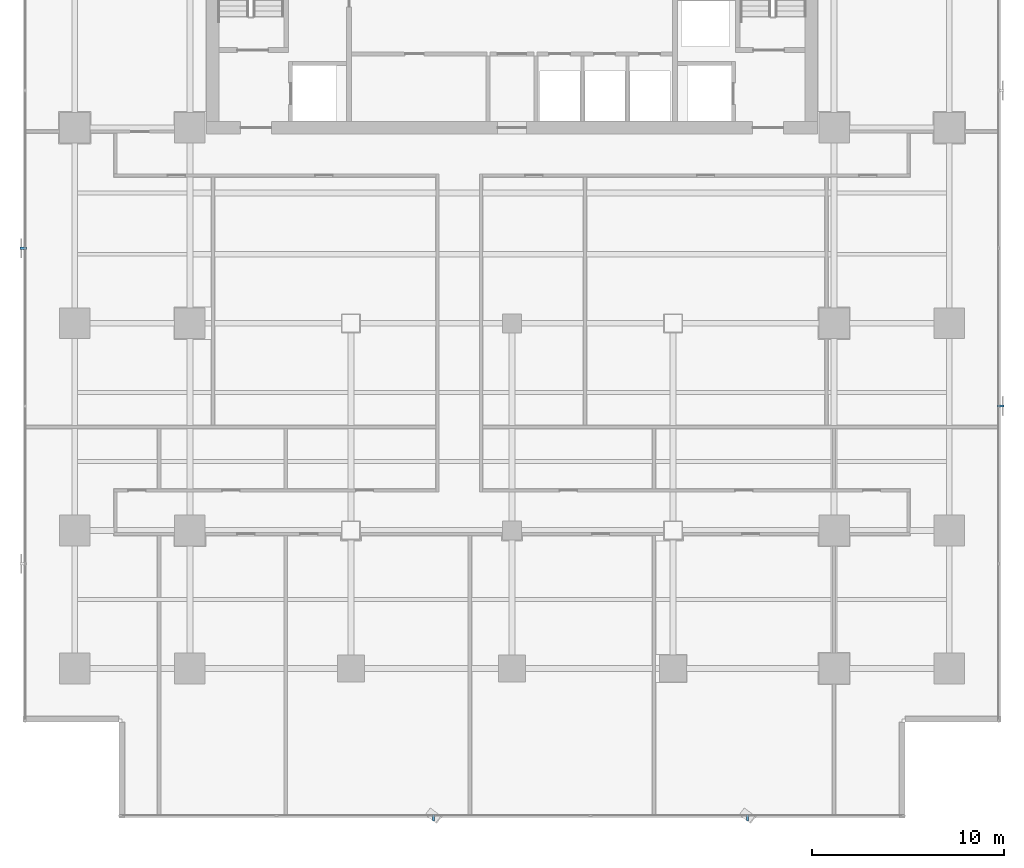
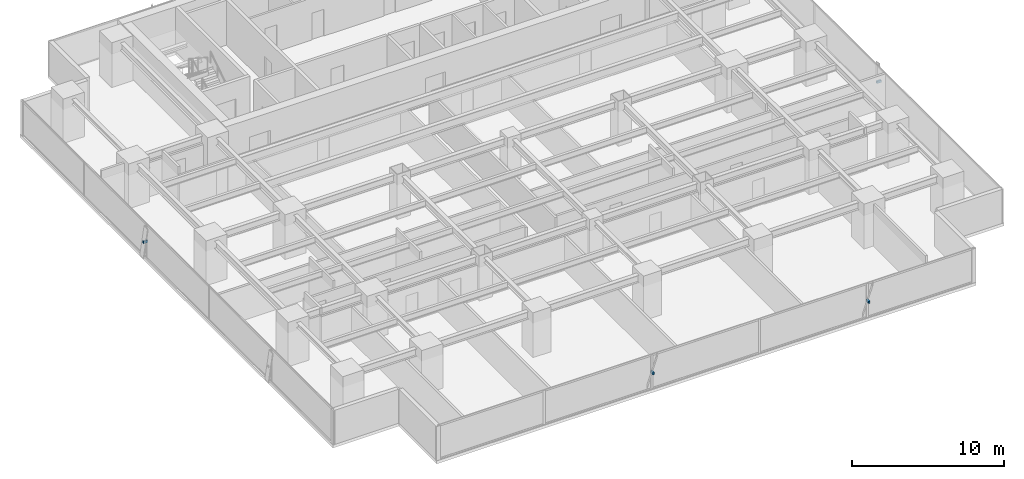
# One storey, part 31 of 37: 4 discrete accessories.
"""IFC4 building model written with IfcOpenShell, lengths in metres."""

from ifc_helpers import new_model, si_unit, direction, frame, origin, origin_2d, place, context, subcontext, project, spatial, rectangle, extrude, source, transform, mapped, material, material_profile, profile_set, type_object, element, save


model = new_model("IFC4")

# Units and contexts
model_context = context("Model", 3, precision=1e-05, world=origin(), true_north=direction((0.0, 1.0)))
body_context = subcontext(model_context, "Body", "Model", "MODEL_VIEW")
ifc_project = project(units=[si_unit("LENGTHUNIT", "METRE"), si_unit("AREAUNIT", "SQUARE_METRE"), si_unit("VOLUMEUNIT", "CUBIC_METRE"), si_unit("PLANEANGLEUNIT", "RADIAN"), si_unit("MASSUNIT", "GRAM", prefix="KILO")], contexts=[model_context])

# Site, building, storey
site_placement = place(None, origin())
site = spatial("IfcSite", under=ifc_project, at=site_placement, CompositionType="ELEMENT")
building_placement = place(site_placement, origin())
building = spatial("IfcBuilding", under=site, at=building_placement, Name="Sumidabori Civic Tower", CompositionType="ELEMENT")
storey_placement = place(building_placement, frame((0.0, 0.0, 110.0)))
storey = spatial("IfcBuildingStorey", under=building, at=storey_placement, Name="L28", CompositionType="ELEMENT", Elevation=110.0)

# Discrete accessories
ifc_material = material(Name="Stainless Steel Hairline Finish", Category="steel")
ifc_material_profile = material_profile(ifc_material, rectangle(XDim=0.1201171875, YDim=0.179931640625, at=origin_2d()), Name="STEEL BRACKET 180x120")
ifc_profile_set = profile_set([ifc_material_profile], Name="Stainless Steel Hairline Finish")
discrete_accessory_type = type_object("IfcDiscreteAccessoryType", Name="AC-BRK-180", PredefinedType="BRACKET", material=ifc_profile_set)
shared_shape_1 = source(origin(), body_context, "Body", "SweptSolid", [
    extrude(rectangle(XDim=0.1201171875, YDim=0.179931640625, at=origin_2d()), origin(), (0.0, 0.0, 1.0), 0.329833984375),
])
for number, where, z_axis, x_axis, name in (
    (1, (25.330078125, -4.31396484375, 1.360107421875), (1.0, 0.0, 0.0), (0.0, 1.0, 0.0), "Bronze Fin Fixing Bracket L28-02"),
    (2, (-25.330078125, 3.9140625, 1.360107421875), (-1.0, 0.0, 0.0), (0.0, -1.0, 0.0), "Bronze Fin Fixing Bracket L28-02"),
):
    element("IfcDiscreteAccessory", number, at=place(storey_placement, frame(where, z_axis=z_axis, x_axis=x_axis)), inside=storey, type_object=discrete_accessory_type, Name=name, PredefinedType="BRACKET", context=body_context, shape_type="MappedRepresentation", body=[
        mapped(shared_shape_1, transform((0.0, 0.0, 0.0), x_axis=(1.0, 0.0, 0.0), y_axis=(0.0, 1.0, 0.0), z_axis=(0.0, 0.0, 1.0), scale=1.0)),
    ])
shared_shape_2 = source(origin(), body_context, "Body", "SweptSolid", [
    extrude(rectangle(XDim=0.1201171875, YDim=0.179931640625, at=origin_2d()), origin(), (0.0, 0.0, 1.0), 0.330078125),
])
for number, where, z_axis, x_axis, name in (
    (3, (-4.093994140625, -25.6298828125, 1.360107421875), (0.0, -1.0, 0.0), (1.0, 0.0, 0.0), "Bronze Fin Fixing Bracket L28-02"),
    (4, (12.281982421875, -25.6298828125, 1.360107421875), (0.0, -1.0, 0.0), (1.0, 0.0, 0.0), "Bronze Fin Fixing Bracket L28-04"),
):
    element("IfcDiscreteAccessory", number, at=place(storey_placement, frame(where, z_axis=z_axis, x_axis=x_axis)), inside=storey, type_object=discrete_accessory_type, Name=name, PredefinedType="BRACKET", context=body_context, shape_type="MappedRepresentation", body=[
        mapped(shared_shape_2, transform((0.0, 0.0, 0.0), x_axis=(1.0, 0.0, 0.0), y_axis=(0.0, 1.0, 0.0), z_axis=(0.0, 0.0, 1.0), scale=1.0)),
    ])

save(model, "model.ifc")
